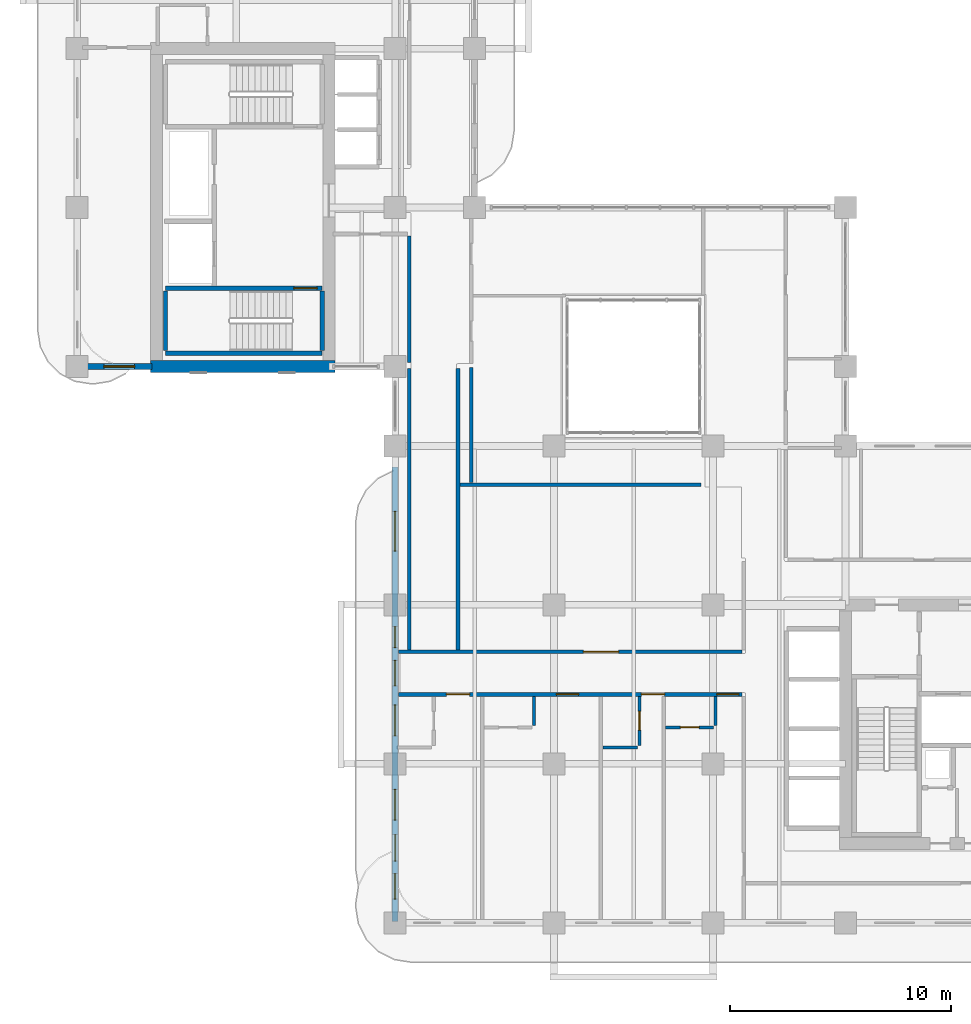
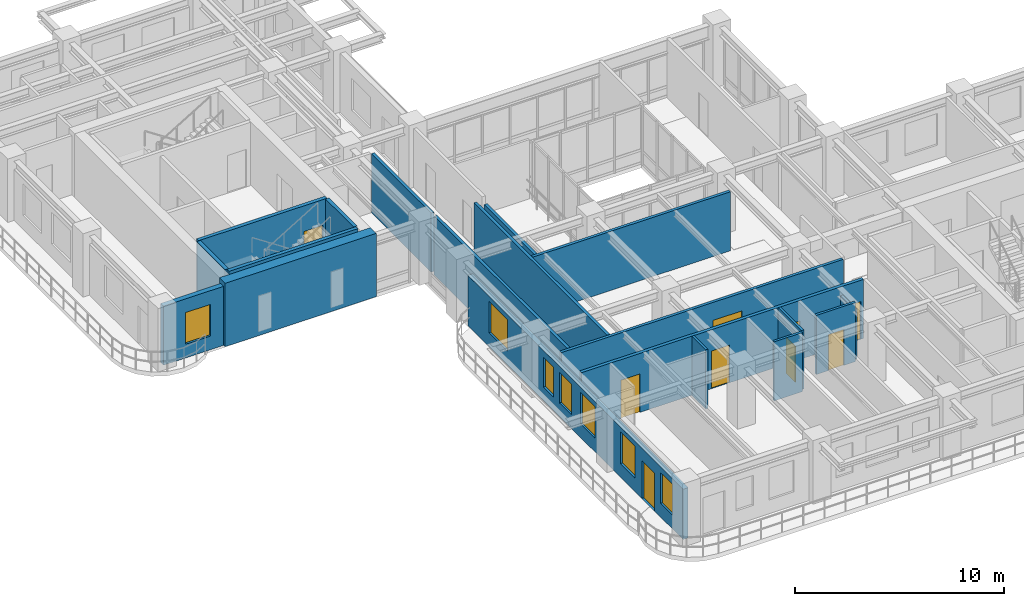
# One storey, part 11 of 20: 19 walls, 9 doors, 7 windows, 16 openings.
"""IFC4 building model written with IfcOpenShell, lengths in metres."""

from ifc_helpers import new_model, si_unit, derived_unit, direction, frame, frame_2d, origin, place, context, subcontext, project, spatial, rectangle, extrude, source, transform, mapped, material, layer, layer_set, type_object, type_shapes, element, fill, save


model = new_model("IFC4")

# Units and contexts
model_context = context("Model", 3, precision=1e-05, world=origin(), true_north=direction((0.0, 1.0)))
body_context = subcontext(model_context, "Body", "Model", "MODEL_VIEW")
ifc_project = project(units=[si_unit("LENGTHUNIT", "METRE"), si_unit("AREAUNIT", "SQUARE_METRE"), si_unit("VOLUMEUNIT", "CUBIC_METRE"), si_unit("PLANEANGLEUNIT", "RADIAN"), si_unit("MASSUNIT", "GRAM", prefix="KILO"), si_unit("THERMODYNAMICTEMPERATUREUNIT", "KELVIN"), si_unit("POWERUNIT", "WATT"), derived_unit("THERMALTRANSMITTANCEUNIT", [(si_unit("POWERUNIT", "WATT"), 1), (si_unit("AREAUNIT", "SQUARE_METRE"), -1), (si_unit("THERMODYNAMICTEMPERATUREUNIT", "KELVIN"), -1)])], contexts=[model_context])

# Site, building, storey
site_placement = place(None, origin())
site = spatial("IfcSite", under=ifc_project, at=site_placement, CompositionType="ELEMENT")
building_placement = place(site_placement, origin())
building = spatial("IfcBuilding", under=site, at=building_placement, Name="Zahravan Archway Hotel and Residences", CompositionType="ELEMENT")
storey_placement = place(building_placement, frame((0.0, 0.0, 126.60009765625)))
storey = spatial("IfcBuildingStorey", under=building, at=storey_placement, Name="L31", CompositionType="ELEMENT", Elevation=126.60009765625)

# Wall
ifc_material_1 = material(Name="Concrete C70/85", Category="concrete")
ifc_layer_1 = layer(ifc_material_1, 0.550048828125, Name="Concrete C70/85", Category="concrete")
ifc_layer_set_1 = layer_set([ifc_layer_1], Name="Concrete C70/85")
wall_type_1 = type_object("IfcWallType", Name="CW-CORE-550", PredefinedType="SHEAR", material=ifc_layer_set_1)
wall_1_placement = place(storey_placement, frame((3.324951171875, 25.199951171875, 0.0), z_axis=(0.0, 0.0, 1.0), x_axis=(1.0, 0.0, 0.0)))
element("IfcWall", 1, at=wall_1_placement, inside=storey, type_object=wall_type_1, Name="L31 Core B Shear S Wall 550 mm", PredefinedType="SHEAR", context=body_context, shape_type="SweptSolid", body=[
    extrude(rectangle(XDim=8.35009765625, YDim=0.550048828125, at=frame_2d((4.175048828125, 0.0))), origin(), (0.0, 0.0, 1.0), 3.699951171875),
])

# Wall, openings, door, windows
ifc_material_2 = material(Name="Honed Red-Ochre Sandstone & Insulated Block", Category="masonry")
ifc_layer_2 = layer(ifc_material_2, 0.280029296875, Name="Honed Red-Ochre Sandstone & Insulated Block", Category="masonry")
ifc_layer_set_2 = layer_set([ifc_layer_2], Name="Honed Red-Ochre Sandstone & Insulated Block")
wall_type_2 = type_object("IfcWallType", Name="EW-LOG-280", PredefinedType="SOLIDWALL", material=ifc_layer_set_2)
wall_2_placement = place(storey_placement, frame((14.39990234375, 0.050048828125, 0.0), z_axis=(0.0, 0.0, 1.0), x_axis=(0.0, 1.0, 0.0)))
wall_2 = element("IfcWall", 2, at=wall_2_placement, inside=storey, type_object=wall_type_2, Name="L31 Exterior Sandstone Wall WA-WL", PredefinedType="SOLIDWALL", context=body_context, shape_type="SweptSolid", body=[
    extrude(rectangle(XDim=20.599853515625, YDim=0.280029296875, at=frame_2d((10.2998046875, 0.0))), origin(), (0.0, 0.0, 1.0), 2.934814453125),
])
opening_1_placement = place(wall_2_placement, frame((2.75, 0.0, 0.0)))
opening_1 = element("IfcOpeningElement", 3, at=opening_1_placement, cuts=wall_2, Name="Opening ED-BL1", PredefinedType="OPENING", context=body_context, shape_type="SweptSolid", body=[
    extrude(rectangle(XDim=1.199951171875, YDim=2.199951171875, at=frame_2d((0.60009765625, 1.10009765625))), frame((0.0, 0.14990234375, 0.0), z_axis=(0.0, -1.0, 0.0), x_axis=(1.0, 0.0, 0.0)), (0.0, 0.0, 1.0), 0.300048828125),
])
opening_2_placement = place(wall_2_placement, frame((1.02490234375, 0.0, 0.800048828125)))
opening_2 = element("IfcOpeningElement", 4, at=opening_2_placement, cuts=wall_2, Name="Opening W-05", PredefinedType="OPENING", context=body_context, shape_type="SweptSolid", body=[
    extrude(rectangle(XDim=1.14990234375, YDim=1.800048828125, at=frame_2d((0.574951171875, 0.89990234375))), frame((0.0, 0.14990234375, 0.0), z_axis=(0.0, -1.0, 0.0), x_axis=(1.0, 0.0, 0.0)), (0.0, 0.0, 1.0), 0.300048828125),
])
opening_3_placement = place(wall_2_placement, frame((4.60009765625, 0.0, 0.800048828125)))
opening_3 = element("IfcOpeningElement", 5, at=opening_3_placement, cuts=wall_2, Name="Opening W-03", PredefinedType="OPENING", context=body_context, shape_type="SweptSolid", body=[
    extrude(rectangle(XDim=1.39990234375, YDim=1.85009765625, at=frame_2d((0.699951171875, 0.925048828125))), frame((0.0, 0.14990234375, 0.0), z_axis=(0.0, -1.0, 0.0), x_axis=(1.0, 0.0, 0.0)), (0.0, 0.0, 1.0), 0.300048828125),
])
opening_4_placement = place(wall_2_placement, frame((8.4208984375, 0.0, 0.800048828125)))
opening_4 = element("IfcOpeningElement", 6, at=opening_4_placement, cuts=wall_2, Name="Opening W-03", PredefinedType="OPENING", context=body_context, shape_type="SweptSolid", body=[
    extrude(rectangle(XDim=1.39990234375, YDim=1.85009765625, at=frame_2d((0.699951171875, 0.925048828125))), frame((0.0, 0.14990234375, 0.0), z_axis=(0.0, -1.0, 0.0), x_axis=(1.0, 0.0, 0.0)), (0.0, 0.0, 1.0), 0.300048828125),
])
opening_5_placement = place(wall_2_placement, frame((10.68505859375, 0.0, 0.800048828125)))
opening_5 = element("IfcOpeningElement", 7, at=opening_5_placement, cuts=wall_2, Name="Opening W-05", PredefinedType="OPENING", context=body_context, shape_type="SweptSolid", body=[
    extrude(rectangle(XDim=1.14990234375, YDim=1.800048828125, at=frame_2d((0.574951171875, 0.89990234375))), frame((0.0, 0.14990234375, 0.0), z_axis=(0.0, -1.0, 0.0), x_axis=(1.0, 0.0, 0.0)), (0.0, 0.0, 1.0), 0.300048828125),
])
opening_6_placement = place(wall_2_placement, frame((12.4140625, 0.0, 0.800048828125)))
opening_6 = element("IfcOpeningElement", 8, at=opening_6_placement, cuts=wall_2, Name="Opening W-04", PredefinedType="OPENING", context=body_context, shape_type="SweptSolid", body=[
    extrude(rectangle(XDim=0.949951171875, YDim=1.75, at=frame_2d((0.47509765625, 0.875))), frame((0.0, 0.14990234375, 0.0), z_axis=(0.0, -1.0, 0.0), x_axis=(1.0, 0.0, 0.0)), (0.0, 0.0, 1.0), 0.300048828125),
])
opening_7_placement = place(wall_2_placement, frame((16.7900390625, 0.0, 0.800048828125)))
opening_7 = element("IfcOpeningElement", 9, at=opening_7_placement, cuts=wall_2, Name="Opening W-02", PredefinedType="OPENING", context=body_context, shape_type="SweptSolid", body=[
    extrude(rectangle(XDim=1.800048828125, YDim=1.85009765625, at=frame_2d((0.89990234375, 0.925048828125))), frame((0.0, 0.14990234375, 0.0), z_axis=(0.0, -1.0, 0.0), x_axis=(1.0, 0.0, 0.0)), (0.0, 0.0, 1.0), 0.300048828125),
])
ifc_material_3 = material(Name="Bronze-Anodized Glazed Aluminium", Category="aluminium")
door_type_1 = type_object("IfcDoorType", Name="ED-BALC-1200", OperationType="SLIDING_TO_LEFT", PredefinedType="DOOR", material=ifc_material_3)
shared_shape_1 = source(origin(), body_context, "Body", "SweptSolid", [
    extrude(rectangle(XDim=1.199951171875, YDim=2.199951171875, at=frame_2d((0.60009765625, 1.10009765625))), frame((0.0, 0.02490234375, 0.0), z_axis=(0.0, -1.0, 0.0), x_axis=(1.0, 0.0, 0.0)), (0.0, 0.0, 1.0), 0.050048828125),
])
type_shapes(door_type_1, [shared_shape_1])
door_1_placement = place(opening_1_placement, origin())
door_1 = element("IfcDoor", 10, at=door_1_placement, inside=storey, type_object=door_type_1, Name="L31 Outdoor Access Sliding Door (SLB-BAL-L31-WA)", OperationType="SLIDING_TO_LEFT", OverallHeight=2.199951171875, OverallWidth=1.199951171875, PredefinedType="DOOR", context=body_context, shape_type="MappedRepresentation", body=[
    mapped(shared_shape_1, transform((0.0, 0.0, 0.0), scale=1.0)),
])
fill(opening_1, door_1)
ifc_material_4 = material(Name="Bronze-Anodized Thermal-Break Aluminium & Low-E Glass", Category="aluminium")
window_type_1 = type_object("IfcWindowType", Name="WIN-TWR-1400", PartitioningType="SINGLE_PANEL", PredefinedType="WINDOW", material=ifc_material_4)
shared_shape_2 = source(origin(), body_context, "Body", "SweptSolid", [
    extrude(rectangle(XDim=1.39990234375, YDim=1.85009765625, at=frame_2d((0.699951171875, 0.925048828125))), frame((0.0, 0.030029296875, 0.0), z_axis=(0.0, -1.0, 0.0), x_axis=(1.0, 0.0, 0.0)), (0.0, 0.0, 1.0), 0.06005859375),
])
type_shapes(window_type_1, [shared_shape_2])
window_1_placement = place(opening_3_placement, origin())
window_1 = element("IfcWindow", 11, at=window_1_placement, inside=storey, type_object=window_type_1, Name="L31 Loggia Window 17", OverallHeight=1.85009765625, OverallWidth=1.39990234375, PartitioningType="SINGLE_PANEL", PredefinedType="WINDOW", context=body_context, shape_type="MappedRepresentation", body=[
    mapped(shared_shape_2, transform((0.0, 0.0, 0.0), scale=1.0)),
])
fill(opening_3, window_1)
window_2_placement = place(opening_4_placement, origin())
window_2 = element("IfcWindow", 12, at=window_2_placement, inside=storey, type_object=window_type_1, Name="L31 Loggia Window 18", OverallHeight=1.85009765625, OverallWidth=1.39990234375, PartitioningType="SINGLE_PANEL", PredefinedType="WINDOW", context=body_context, shape_type="MappedRepresentation", body=[
    mapped(shared_shape_2, transform((0.0, 0.0, 0.0), scale=1.0)),
])
fill(opening_4, window_2)
window_type_2 = type_object("IfcWindowType", Name="WIN-NAR-950", PartitioningType="SINGLE_PANEL", PredefinedType="WINDOW", material=ifc_material_4)
shared_shape_3 = source(origin(), body_context, "Body", "SweptSolid", [
    extrude(rectangle(XDim=0.949951171875, YDim=1.75, at=frame_2d((0.47509765625, 0.875))), frame((0.0, 0.030029296875, 0.0), z_axis=(0.0, -1.0, 0.0), x_axis=(1.0, 0.0, 0.0)), (0.0, 0.0, 1.0), 0.06005859375),
])
type_shapes(window_type_2, [shared_shape_3])
window_3_placement = place(opening_6_placement, origin())
window_3 = element("IfcWindow", 13, at=window_3_placement, inside=storey, type_object=window_type_2, Name="L31 Loggia Window 20", OverallHeight=1.75, OverallWidth=0.949951171875, PartitioningType="SINGLE_PANEL", PredefinedType="WINDOW", context=body_context, shape_type="MappedRepresentation", body=[
    mapped(shared_shape_3, transform((0.0, 0.0, 0.0), scale=1.0)),
])
fill(opening_6, window_3)
window_type_3 = type_object("IfcWindowType", Name="WIN-TWR-1800", PartitioningType="DOUBLE_PANEL_VERTICAL", PredefinedType="WINDOW", material=ifc_material_4)
shared_shape_4 = source(origin(), body_context, "Body", "SweptSolid", [
    extrude(rectangle(XDim=1.800048828125, YDim=1.85009765625, at=frame_2d((0.89990234375, 0.925048828125))), frame((0.0, 0.030029296875, 0.0), z_axis=(0.0, -1.0, 0.0), x_axis=(1.0, 0.0, 0.0)), (0.0, 0.0, 1.0), 0.06005859375),
])
type_shapes(window_type_3, [shared_shape_4])
window_4_placement = place(opening_7_placement, origin())
window_4 = element("IfcWindow", 14, at=window_4_placement, inside=storey, type_object=window_type_3, Name="L31 Loggia Window 21", OverallHeight=1.85009765625, OverallWidth=1.800048828125, PartitioningType="DOUBLE_PANEL_VERTICAL", PredefinedType="WINDOW", context=body_context, shape_type="MappedRepresentation", body=[
    mapped(shared_shape_4, transform((0.0, 0.0, 0.0), scale=1.0)),
])
fill(opening_7, window_4)
window_type_4 = type_object("IfcWindowType", Name="WIN-TWR-1150", PartitioningType="SINGLE_PANEL", PredefinedType="WINDOW", material=ifc_material_4)
shared_shape_5 = source(origin(), body_context, "Body", "SweptSolid", [
    extrude(rectangle(XDim=1.14990234375, YDim=1.800048828125, at=frame_2d((0.574951171875, 0.89990234375))), frame((0.0, 0.030029296875, 0.0), z_axis=(0.0, -1.0, 0.0), x_axis=(1.0, 0.0, 0.0)), (0.0, 0.0, 1.0), 0.06005859375),
])
type_shapes(window_type_4, [shared_shape_5])
window_5_placement = place(opening_2_placement, origin())
window_5 = element("IfcWindow", 15, at=window_5_placement, inside=storey, type_object=window_type_4, Name="L31 Loggia Window 16", OverallHeight=1.800048828125, OverallWidth=1.14990234375, PartitioningType="SINGLE_PANEL", PredefinedType="WINDOW", context=body_context, shape_type="MappedRepresentation", body=[
    mapped(shared_shape_5, transform((0.0, 0.0, 0.0), scale=1.0)),
])
fill(opening_2, window_5)
window_6_placement = place(opening_5_placement, origin())
window_6 = element("IfcWindow", 16, at=window_6_placement, inside=storey, type_object=window_type_4, Name="L31 Loggia Window 19", OverallHeight=1.800048828125, OverallWidth=1.14990234375, PartitioningType="SINGLE_PANEL", PredefinedType="WINDOW", context=body_context, shape_type="MappedRepresentation", body=[
    mapped(shared_shape_5, transform((0.0, 0.0, 0.0), scale=1.0)),
])
fill(opening_5, window_6)

# Wall, opening, window
wall_3_placement = place(storey_placement, frame((0.0, 25.199951171875, 0.0), z_axis=(0.0, 0.0, 1.0), x_axis=(1.0, 0.0, 0.0)))
wall_3 = element("IfcWall", 17, at=wall_3_placement, inside=storey, type_object=wall_type_2, Name="L31 Exterior Sandstone Wall WB-SW", PredefinedType="SOLIDWALL", context=body_context, shape_type="SweptSolid", body=[
    extrude(rectangle(XDim=3.3798828125, YDim=0.280029296875, at=frame_2d((1.68994140625, 0.0))), origin(), (0.0, 0.0, 1.0), 3.449951171875),
])
opening_8_placement = place(wall_3_placement, frame((1.205078125, 0.0, 0.800048828125)))
opening_8 = element("IfcOpeningElement", 18, at=opening_8_placement, cuts=wall_3, Name="Opening W-03", PredefinedType="OPENING", context=body_context, shape_type="SweptSolid", body=[
    extrude(rectangle(XDim=1.39990234375, YDim=1.85009765625, at=frame_2d((0.699951171875, 0.925048828125))), frame((0.0, 0.14990234375, 0.0), z_axis=(0.0, -1.0, 0.0), x_axis=(1.0, 0.0, 0.0)), (0.0, 0.0, 1.0), 0.300048828125),
])
window_7_placement = place(opening_8_placement, origin())
window_7 = element("IfcWindow", 19, at=window_7_placement, inside=storey, type_object=window_type_1, Name="L31 Loggia Window 22", OverallHeight=1.85009765625, OverallWidth=1.39990234375, PartitioningType="SINGLE_PANEL", PredefinedType="WINDOW", context=body_context, shape_type="MappedRepresentation", body=[
    mapped(shared_shape_2, transform((0.0, 0.0, 0.0), scale=1.0)),
])
fill(opening_8, window_7)

# Wall, opening, door
ifc_material_5 = material(Name="Fire-Rated Gypsum & Concrete Block", Category="concrete")
ifc_layer_3 = layer(ifc_material_5, 0.159912109375, Name="Fire-Rated Gypsum & Concrete Block", Category="concrete")
ifc_layer_set_3 = layer_set([ifc_layer_3], Name="Fire-Rated Gypsum & Concrete Block")
wall_type_3 = type_object("IfcWallType", Name="PW-CORR-160", PredefinedType="PARTITIONING", material=ifc_layer_set_3)
wall_4_placement = place(storey_placement, frame((14.548095703125, 12.27001953125, 0.0), z_axis=(0.0, 0.0, 1.0), x_axis=(1.0, 0.0, 0.0)))
wall_4 = element("IfcWall", 20, at=wall_4_placement, inside=storey, type_object=wall_type_3, Name="L31 Partition WA-CN", PredefinedType="PARTITIONING", context=body_context, shape_type="SweptSolid", body=[
    extrude(rectangle(XDim=15.56201171875, YDim=0.159912109375, at=frame_2d((7.781005859375, 0.0))), origin(), (0.0, 0.0, 1.0), 3.449951171875),
])
opening_9_placement = place(wall_4_placement, frame((8.376953125, 0.0, 0.0)))
opening_9 = element("IfcOpeningElement", 21, at=opening_9_placement, cuts=wall_4, Name="Opening D-P2", PredefinedType="OPENING", context=body_context, shape_type="SweptSolid", body=[
    extrude(rectangle(XDim=1.60009765625, YDim=2.39990234375, at=frame_2d((0.800048828125, 1.199951171875))), frame((0.0, 0.08984375, 0.0), z_axis=(0.0, -1.0, 0.0), x_axis=(1.0, 0.0, 0.0)), (0.0, 0.0, 1.0), 0.179931640625),
])
door_type_2 = type_object("IfcDoorType", Name="ID-PUBLIC-1600", OperationType="DOUBLE_DOOR_SINGLE_SWING", PredefinedType="DOOR", material=ifc_material_3)
shared_shape_6 = source(origin(), body_context, "Body", "SweptSolid", [
    extrude(rectangle(XDim=1.60009765625, YDim=2.39990234375, at=frame_2d((0.800048828125, 1.199951171875))), frame((0.0, 0.02490234375, 0.0), z_axis=(0.0, -1.0, 0.0), x_axis=(1.0, 0.0, 0.0)), (0.0, 0.0, 1.0), 0.050048828125),
])
type_shapes(door_type_2, [shared_shape_6])
door_2_placement = place(opening_9_placement, origin())
door_2 = element("IfcDoor", 22, at=door_2_placement, inside=storey, type_object=door_type_2, Name="L31 Atrium Spa Door", OperationType="DOUBLE_DOOR_SINGLE_SWING", OverallHeight=2.39990234375, OverallWidth=1.60009765625, PredefinedType="DOOR", context=body_context, shape_type="MappedRepresentation", body=[
    mapped(shared_shape_6, transform((0.0, 0.0, 0.0), scale=1.0)),
])
fill(opening_9, door_2)

# Walls
for number, where, z_axis, x_axis, name in (
    (23, (15.050048828125, 12.360107421875, 0.0), (0.0, 0.0, 1.0), (0.0, 1.0, 0.0), "L31 Partition LNK-W"),
    (24, (17.25, 12.360107421875, 0.0), (0.0, 0.0, 1.0), (0.0, 1.0, 0.0), "L31 Partition LNK-E"),
):
    element("IfcWall", number, at=place(storey_placement, frame(where, z_axis=z_axis, x_axis=x_axis)), inside=storey, type_object=wall_type_3, Name=name, PredefinedType="PARTITIONING", context=body_context, shape_type="SweptSolid", body=[
        extrude(rectangle(XDim=12.75, YDim=0.159912109375, at=frame_2d((6.375, 0.0))), origin(), (0.0, 0.0, 1.0), 3.449951171875),
    ])
wall_5_placement = place(storey_placement, frame((15.050048828125, 25.389892578125, 0.0), z_axis=(0.0, 0.0, 1.0), x_axis=(0.0, 1.0, 0.0)))
element("IfcWall", 25, at=wall_5_placement, inside=storey, type_object=wall_type_3, Name="L31 Partition FB1-E", PredefinedType="PARTITIONING", context=body_context, shape_type="SweptSolid", body=[
    extrude(rectangle(XDim=5.72021484375, YDim=0.159912109375, at=frame_2d((2.860107421875, 0.0))), origin(), (0.0, 0.0, 1.0), 3.449951171875),
])
wall_6_placement = place(storey_placement, frame((17.340087890625, 19.85009765625, 0.0), z_axis=(0.0, 0.0, 1.0), x_axis=(1.0, 0.0, 0.0)))
element("IfcWall", 26, at=wall_6_placement, inside=storey, type_object=wall_type_3, Name="L31 Partition ATR-S", PredefinedType="PARTITIONING", context=body_context, shape_type="SweptSolid", body=[
    extrude(rectangle(XDim=10.919921875, YDim=0.159912109375, at=frame_2d((5.4599609375, 0.0))), origin(), (0.0, 0.0, 1.0), 3.449951171875),
])

# Wall, openings, doors
ifc_layer_4 = layer(ifc_material_5, 0.179931640625, Name="Fire-Rated Gypsum & Concrete Block", Category="concrete")
ifc_layer_set_4 = layer_set([ifc_layer_4], Name="Fire-Rated Gypsum & Concrete Block")
wall_type_4 = type_object("IfcWallType", Name="PW-CORR-180", PredefinedType="PARTITIONING", material=ifc_layer_set_4)
wall_7_placement = place(storey_placement, frame((14.548095703125, 10.35009765625, 0.0), z_axis=(0.0, 0.0, 1.0), x_axis=(1.0, 0.0, 0.0)))
wall_7 = element("IfcWall", 27, at=wall_7_placement, inside=storey, type_object=wall_type_4, Name="L31 Partition WA-CS", PredefinedType="PARTITIONING", context=body_context, shape_type="SweptSolid", body=[
    extrude(rectangle(XDim=15.56201171875, YDim=0.179931640625, at=frame_2d((7.781005859375, 0.0))), origin(), (0.0, 0.0, 1.0), 3.449951171875),
])
opening_10_placement = place(wall_7_placement, frame((2.177001953125, 0.0, 0.0)))
opening_10 = element("IfcOpeningElement", 28, at=opening_10_placement, cuts=wall_7, Name="Opening D-U1", PredefinedType="OPENING", context=body_context, shape_type="SweptSolid", body=[
    extrude(rectangle(XDim=1.050048828125, YDim=2.25, at=frame_2d((0.52490234375, 1.125))), frame((0.0, 0.10009765625, 0.0), z_axis=(0.0, -1.0, 0.0), x_axis=(1.0, 0.0, 0.0)), (0.0, 0.0, 1.0), 0.199951171875),
])
opening_11_placement = place(wall_7_placement, frame((7.162109375, 0.0, 0.0)))
opening_11 = element("IfcOpeningElement", 29, at=opening_11_placement, cuts=wall_7, Name="Opening D-U2", PredefinedType="OPENING", context=body_context, shape_type="SweptSolid", body=[
    extrude(rectangle(XDim=1.0, YDim=2.199951171875, at=frame_2d((0.5, 1.10009765625))), frame((0.0, 0.10009765625, 0.0), z_axis=(0.0, -1.0, 0.0), x_axis=(1.0, 0.0, 0.0)), (0.0, 0.0, 1.0), 0.199951171875),
])
opening_12_placement = place(wall_7_placement, frame((11.007080078125, 0.0, 0.0)))
opening_12 = element("IfcOpeningElement", 30, at=opening_12_placement, cuts=wall_7, Name="Opening D-U1", PredefinedType="OPENING", context=body_context, shape_type="SweptSolid", body=[
    extrude(rectangle(XDim=1.050048828125, YDim=2.25, at=frame_2d((0.52490234375, 1.125))), frame((0.0, 0.10009765625, 0.0), z_axis=(0.0, -1.0, 0.0), x_axis=(1.0, 0.0, 0.0)), (0.0, 0.0, 1.0), 0.199951171875),
])
opening_13_placement = place(wall_7_placement, frame((14.422119140625, 0.0, 0.0)))
opening_13 = element("IfcOpeningElement", 31, at=opening_13_placement, cuts=wall_7, Name="Opening D-U2", PredefinedType="OPENING", context=body_context, shape_type="SweptSolid", body=[
    extrude(rectangle(XDim=1.0, YDim=2.199951171875, at=frame_2d((0.5, 1.10009765625))), frame((0.0, 0.10009765625, 0.0), z_axis=(0.0, -1.0, 0.0), x_axis=(1.0, 0.0, 0.0)), (0.0, 0.0, 1.0), 0.199951171875),
])
ifc_material_6 = material(Name="Hardwood Veneer Timber", Category="wood")
door_type_3 = type_object("IfcDoorType", Name="ID-UNIT-1050", OperationType="NOTDEFINED", PredefinedType="DOOR", material=ifc_material_6)
shared_shape_7 = source(origin(), body_context, "Body", "SweptSolid", [
    extrude(rectangle(XDim=1.050048828125, YDim=2.25, at=frame_2d((0.52490234375, 1.125))), frame((0.0, 0.02490234375, 0.0), z_axis=(0.0, -1.0, 0.0), x_axis=(1.0, 0.0, 0.0)), (0.0, 0.0, 1.0), 0.050048828125),
])
type_shapes(door_type_3, [shared_shape_7])
door_3_placement = place(opening_10_placement, origin())
door_3 = element("IfcDoor", 32, at=door_3_placement, inside=storey, type_object=door_type_3, Name="L31 Hotel Guestroom 40 Entrance Door", OperationType="SINGLE_SWING_LEFT", OverallHeight=2.25, OverallWidth=1.050048828125, PredefinedType="DOOR", context=body_context, shape_type="MappedRepresentation", body=[
    mapped(shared_shape_7, transform((0.0, 0.0, 0.0), scale=1.0)),
])
fill(opening_10, door_3)
door_4_placement = place(opening_12_placement, origin())
door_4 = element("IfcDoor", 33, at=door_4_placement, inside=storey, type_object=door_type_3, Name="L31 Hotel Guestroom 42 Entrance Door", OperationType="SINGLE_SWING_LEFT", OverallHeight=2.25, OverallWidth=1.050048828125, PredefinedType="DOOR", context=body_context, shape_type="MappedRepresentation", body=[
    mapped(shared_shape_7, transform((0.0, 0.0, 0.0), scale=1.0)),
])
fill(opening_12, door_4)
door_type_4 = type_object("IfcDoorType", Name="ID-UNIT-1000", OperationType="NOTDEFINED", PredefinedType="DOOR", material=ifc_material_6)
shared_shape_8 = source(origin(), body_context, "Body", "SweptSolid", [
    extrude(rectangle(XDim=1.0, YDim=2.199951171875, at=frame_2d((0.5, 1.10009765625))), frame((0.0, 0.02490234375, 0.0), z_axis=(0.0, -1.0, 0.0), x_axis=(1.0, 0.0, 0.0)), (0.0, 0.0, 1.0), 0.050048828125),
])
type_shapes(door_type_4, [shared_shape_8])
door_5_placement = place(opening_11_placement, origin())
door_5 = element("IfcDoor", 34, at=door_5_placement, inside=storey, type_object=door_type_4, Name="L31 Hotel Guestroom 41 Entrance Door", OperationType="SINGLE_SWING_LEFT", OverallHeight=2.199951171875, OverallWidth=1.0, PredefinedType="DOOR", context=body_context, shape_type="MappedRepresentation", body=[
    mapped(shared_shape_8, transform((0.0, 0.0, 0.0), scale=1.0)),
])
fill(opening_11, door_5)
door_6_placement = place(opening_13_placement, origin())
door_6 = element("IfcDoor", 35, at=door_6_placement, inside=storey, type_object=door_type_4, Name="L31 Hotel Guestroom 43 Entrance Door", OperationType="SINGLE_SWING_LEFT", OverallHeight=2.199951171875, OverallWidth=1.0, PredefinedType="DOOR", context=body_context, shape_type="MappedRepresentation", body=[
    mapped(shared_shape_8, transform((0.0, 0.0, 0.0), scale=1.0)),
])
fill(opening_13, door_6)

# Walls
ifc_material_7 = material(Name="Acoustic Stud Partition")
ifc_layer_5 = layer(ifc_material_7, 0.169921875, Name="Acoustic Stud Partition")
ifc_layer_set_5 = layer_set([ifc_layer_5], Name="Acoustic Stud Partition")
wall_type_5 = type_object("IfcWallType", Name="PW-UNIT-170", PredefinedType="PARTITIONING", material=ifc_layer_set_5)
wall_8_placement = place(storey_placement, frame((17.85009765625, 19.93994140625, 0.0), z_axis=(0.0, 0.0, 1.0), x_axis=(0.0, 1.0, 0.0)))
element("IfcWall", 36, at=wall_8_placement, inside=storey, type_object=wall_type_5, Name="L31 Partition ATR-NWSL", PredefinedType="PARTITIONING", context=body_context, shape_type="SweptSolid", body=[
    extrude(rectangle(XDim=5.219970703125, YDim=0.169921875, at=frame_2d((2.60986328125, 0.0))), origin(), (0.0, 0.0, 1.0), 3.10498046875),
])
ifc_material_8 = material(Name="Moisture-Resistant Blockwork", Category="masonry")
ifc_layer_6 = layer(ifc_material_8, 0.139892578125, Name="Moisture-Resistant Blockwork", Category="masonry")
ifc_layer_set_6 = layer_set([ifc_layer_6], Name="Moisture-Resistant Blockwork")
wall_type_6 = type_object("IfcWallType", Name="PW-WET-140", PredefinedType="PARTITIONING", material=ifc_layer_set_6)
wall_9_placement = place(storey_placement, frame((20.699951171875, 8.93994140625, 0.0), z_axis=(0.0, 0.0, 1.0), x_axis=(0.0, 1.0, 0.0)))
element("IfcWall", 37, at=wall_9_placement, inside=storey, type_object=wall_type_6, Name="L31 Partition HKB-V41", PredefinedType="PARTITIONING", context=body_context, shape_type="SweptSolid", body=[
    extrude(rectangle(XDim=1.320068359375, YDim=0.139892578125, at=frame_2d((0.66015625, 0.0))), origin(), (0.0, 0.0, 1.0), 3.449951171875),
])

# Wall, opening, door
wall_10_placement = place(storey_placement, frame((25.469970703125, 8.0400390625, 0.0), z_axis=(0.0, 0.0, 1.0), x_axis=(0.0, 1.0, 0.0)))
wall_10 = element("IfcWall", 38, at=wall_10_placement, inside=storey, type_object=wall_type_6, Name="L31 Partition HKB-V42", PredefinedType="PARTITIONING", context=body_context, shape_type="SweptSolid", body=[
    extrude(rectangle(XDim=2.219970703125, YDim=0.139892578125, at=frame_2d((1.10986328125, 0.0))), origin(), (0.0, 0.0, 1.0), 3.449951171875),
])
opening_14_placement = place(wall_10_placement, frame((0.68505859375, 0.0, 0.0)))
opening_14 = element("IfcOpeningElement", 39, at=opening_14_placement, cuts=wall_10, Name="Opening D-B1", PredefinedType="OPENING", context=body_context, shape_type="SweptSolid", body=[
    extrude(rectangle(XDim=0.85009765625, YDim=2.10009765625, at=frame_2d((0.425048828125, 1.050048828125))), frame((0.0, 0.080078125, 0.0), z_axis=(0.0, -1.0, 0.0), x_axis=(1.0, 0.0, 0.0)), (0.0, 0.0, 1.0), 0.159912109375),
])
door_type_5 = type_object("IfcDoorType", Name="ID-BATH-850", OperationType="NOTDEFINED", PredefinedType="DOOR", material=ifc_material_6)
shared_shape_9 = source(origin(), body_context, "Body", "SweptSolid", [
    extrude(rectangle(XDim=0.85009765625, YDim=2.10009765625, at=frame_2d((0.425048828125, 1.050048828125))), frame((0.0, 0.02490234375, 0.0), z_axis=(0.0, -1.0, 0.0), x_axis=(1.0, 0.0, 0.0)), (0.0, 0.0, 1.0), 0.050048828125),
])
type_shapes(door_type_5, [shared_shape_9])
door_7_placement = place(opening_14_placement, origin())
door_7 = element("IfcDoor", 40, at=door_7_placement, inside=storey, type_object=door_type_5, Name="L31 Guestroom 42 En-Suite Door", OperationType="SINGLE_SWING_RIGHT", OverallHeight=2.10009765625, OverallWidth=0.85009765625, PredefinedType="DOOR", context=body_context, shape_type="MappedRepresentation", body=[
    mapped(shared_shape_9, transform((0.0, 0.0, 0.0), scale=1.0)),
])
fill(opening_14, door_7)

# Walls
wall_11_placement = place(storey_placement, frame((23.81005859375, 7.949951171875, 0.0), z_axis=(0.0, 0.0, 1.0), x_axis=(1.0, 0.0, 0.0)))
element("IfcWall", 41, at=wall_11_placement, inside=storey, type_object=wall_type_6, Name="L31 Partition HKB-H42", PredefinedType="PARTITIONING", context=body_context, shape_type="SweptSolid", body=[
    extrude(rectangle(XDim=1.56982421875, YDim=0.139892578125, at=frame_2d((0.784912109375, 0.0))), origin(), (0.0, 0.0, 1.0), 3.449951171875),
])
wall_12_placement = place(storey_placement, frame((28.919921875, 8.93994140625, 0.0), z_axis=(0.0, 0.0, 1.0), x_axis=(0.0, 1.0, 0.0)))
element("IfcWall", 42, at=wall_12_placement, inside=storey, type_object=wall_type_6, Name="L31 Partition HKB-V43", PredefinedType="PARTITIONING", context=body_context, shape_type="SweptSolid", body=[
    extrude(rectangle(XDim=1.320068359375, YDim=0.139892578125, at=frame_2d((0.66015625, 0.0))), origin(), (0.0, 0.0, 1.0), 2.934814453125),
])

# Wall, opening, door
wall_13_placement = place(storey_placement, frame((26.659912109375, 8.85009765625, 0.0), z_axis=(0.0, 0.0, 1.0), x_axis=(1.0, 0.0, 0.0)))
wall_13 = element("IfcWall", 43, at=wall_13_placement, inside=storey, type_object=wall_type_6, Name="L31 Partition HKB-H43", PredefinedType="PARTITIONING", context=body_context, shape_type="SweptSolid", body=[
    extrude(rectangle(XDim=2.170166015625, YDim=0.139892578125, at=frame_2d((1.0849609375, 0.0))), origin(), (0.0, 0.0, 1.0), 3.449951171875),
])
opening_15_placement = place(wall_13_placement, frame((0.659912109375, 0.0, 0.0)))
opening_15 = element("IfcOpeningElement", 44, at=opening_15_placement, cuts=wall_13, Name="Opening D-B1", PredefinedType="OPENING", context=body_context, shape_type="SweptSolid", body=[
    extrude(rectangle(XDim=0.85009765625, YDim=2.10009765625, at=frame_2d((0.425048828125, 1.050048828125))), frame((0.0, 0.080078125, 0.0), z_axis=(0.0, -1.0, 0.0), x_axis=(1.0, 0.0, 0.0)), (0.0, 0.0, 1.0), 0.159912109375),
])
door_8_placement = place(opening_15_placement, origin())
door_8 = element("IfcDoor", 45, at=door_8_placement, inside=storey, type_object=door_type_5, Name="L31 Guestroom 43 En-Suite Door", OperationType="SINGLE_SWING_RIGHT", OverallHeight=2.10009765625, OverallWidth=0.85009765625, PredefinedType="DOOR", context=body_context, shape_type="MappedRepresentation", body=[
    mapped(shared_shape_9, transform((0.0, 0.0, 0.0), scale=1.0)),
])
fill(opening_15, door_8)

# Walls
ifc_material_9 = material(Name="Concrete C50/60", Category="concrete")
ifc_layer_7 = layer(ifc_material_9, 0.199951171875, Name="Concrete C50/60", Category="concrete")
ifc_layer_set_7 = layer_set([ifc_layer_7], Name="Concrete C50/60")
wall_type_7 = type_object("IfcWallType", Name="SW-STAIR-200", PredefinedType="SHEAR", material=ifc_layer_set_7)
wall_14_placement = place(storey_placement, frame((4.0, 25.800048828125, 0.0), z_axis=(0.0, 0.0, 1.0), x_axis=(1.0, 0.0, 0.0)))
element("IfcWall", 46, at=wall_14_placement, inside=storey, type_object=wall_type_7, Name="L31 Stairwell RC Wall CB-SB1S", PredefinedType="SHEAR", context=body_context, shape_type="SweptSolid", body=[
    extrude(rectangle(XDim=7.10009765625, YDim=0.199951171875, at=frame_2d((3.550048828125, 0.0))), origin(), (0.0, 0.0, 1.0), 3.699951171875),
])
for number, where, z_axis, x_axis, name in (
    (47, (4.0, 25.919921875, 0.0), (0.0, 0.0, 1.0), (0.0, 1.0, 0.0), "L31 Stairwell RC Wall CB-SB1W"),
    (48, (11.10009765625, 25.919921875, 0.0), (0.0, 0.0, 1.0), (0.0, 1.0, 0.0), "L31 Stairwell RC Wall CB-SB1E"),
):
    element("IfcWall", number, at=place(storey_placement, frame(where, z_axis=z_axis, x_axis=x_axis)), inside=storey, type_object=wall_type_7, Name=name, PredefinedType="SHEAR", context=body_context, shape_type="SweptSolid", body=[
        extrude(rectangle(XDim=2.7001953125, YDim=0.199951171875, at=frame_2d((1.35009765625, 0.0))), origin(), (0.0, 0.0, 1.0), 3.699951171875),
    ])

# Wall, opening, door
wall_15_placement = place(storey_placement, frame((4.0, 28.739990234375, 0.0), z_axis=(0.0, 0.0, 1.0), x_axis=(1.0, 0.0, 0.0)))
wall_15 = element("IfcWall", 49, at=wall_15_placement, inside=storey, type_object=wall_type_7, Name="L31 Stairwell RC Wall CB-SB1N", PredefinedType="SHEAR", context=body_context, shape_type="SweptSolid", body=[
    extrude(rectangle(XDim=7.10009765625, YDim=0.199951171875, at=frame_2d((3.550048828125, 0.0))), origin(), (0.0, 0.0, 1.0), 3.699951171875),
])
opening_16_placement = place(wall_15_placement, frame((5.81494140625, 0.0, 0.0)))
opening_16 = element("IfcOpeningElement", 50, at=opening_16_placement, cuts=wall_15, Name="Opening FD-S1", PredefinedType="OPENING", context=body_context, shape_type="SweptSolid", body=[
    extrude(rectangle(XDim=1.050048828125, YDim=2.199951171875, at=frame_2d((0.52490234375, 1.10009765625))), frame((0.0, 0.10986328125, 0.0), z_axis=(0.0, -1.0, 0.0), x_axis=(1.0, 0.0, 0.0)), (0.0, 0.0, 1.0), 0.219970703125),
])
ifc_material_10 = material(Name="Fire-Rated Painted Steel", Category="steel")
door_type_6 = type_object("IfcDoorType", Name="FD-STAIR-1100", OperationType="NOTDEFINED", PredefinedType="DOOR", material=ifc_material_10)
shared_shape_10 = source(origin(), body_context, "Body", "SweptSolid", [
    extrude(rectangle(XDim=1.050048828125, YDim=2.199951171875, at=frame_2d((0.52490234375, 1.10009765625))), frame((0.0, 0.02490234375, 0.0), z_axis=(0.0, -1.0, 0.0), x_axis=(1.0, 0.0, 0.0)), (0.0, 0.0, 1.0), 0.050048828125),
])
type_shapes(door_type_6, [shared_shape_10])
door_9_placement = place(opening_16_placement, origin())
door_9 = element("IfcDoor", 51, at=door_9_placement, inside=storey, type_object=door_type_6, Name="L31 Stair ST-B1 Door", OperationType="SINGLE_SWING_LEFT", OverallHeight=2.199951171875, OverallWidth=1.050048828125, PredefinedType="DOOR", context=body_context, shape_type="MappedRepresentation", body=[
    mapped(shared_shape_10, transform((0.0, 0.0, 0.0), scale=1.0)),
])
fill(opening_16, door_9)

save(model, "model.ifc")
